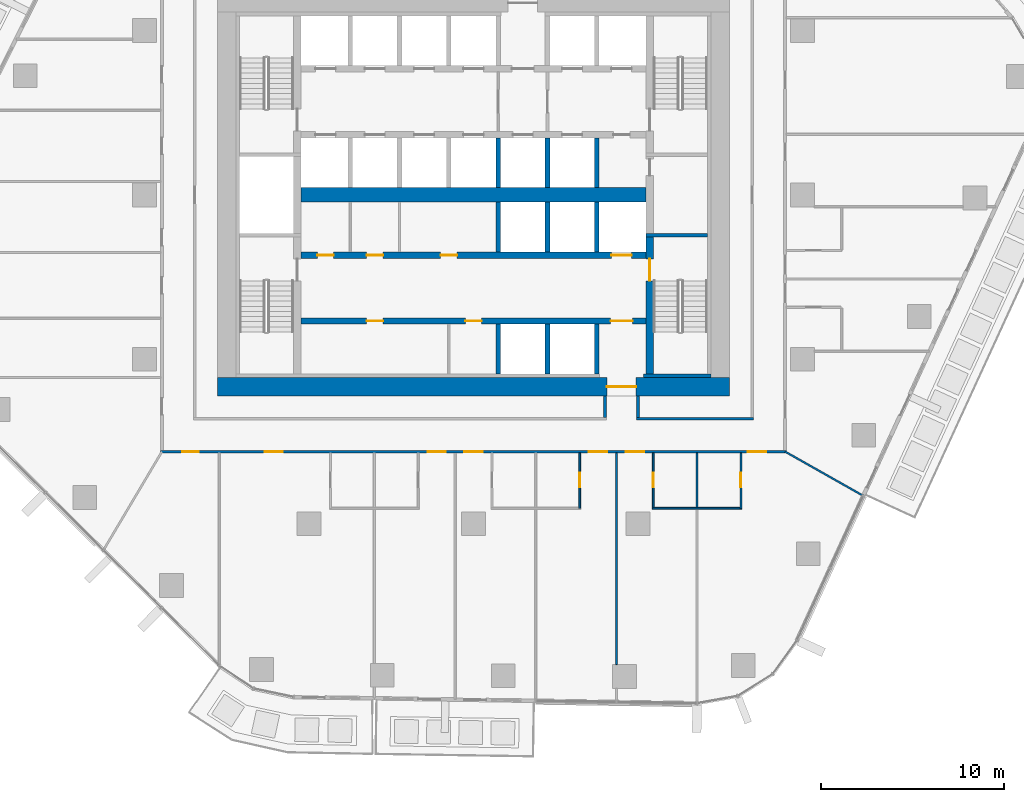
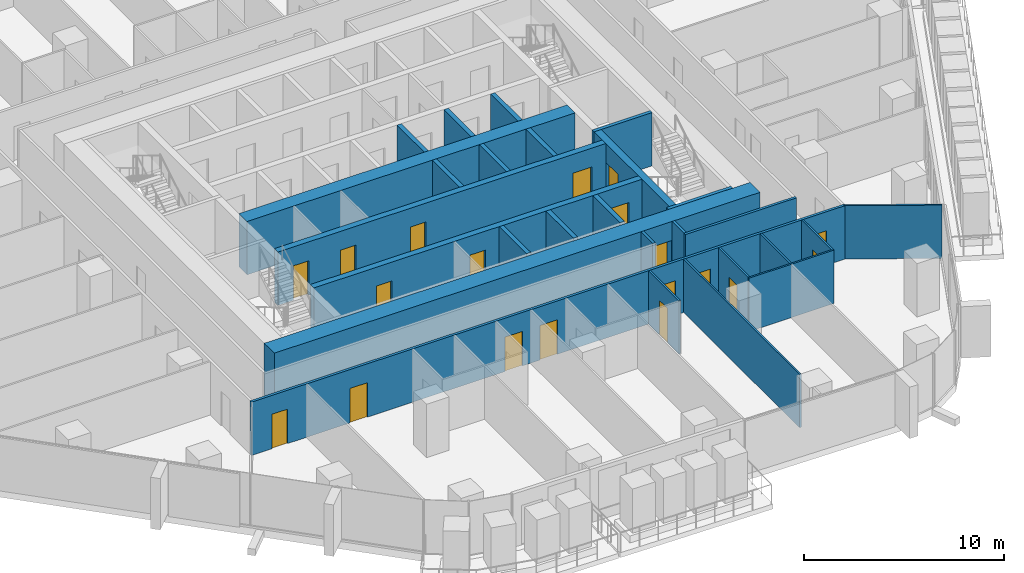
# One storey, part 13 of 24: 27 walls, 19 doors, 19 openings.
"""IFC4 building model written with IfcOpenShell, lengths in metres."""

from ifc_helpers import new_model, si_unit, direction, frame, frame_2d, origin, place, context, subcontext, project, spatial, rectangle, extrude, material, layer, layer_set, type_object, element, fill, save


model = new_model("IFC4")

# Units and contexts
model_context = context("Model", 3, precision=1e-05, world=origin(), true_north=direction((0.0, 1.0)))
body_context = subcontext(model_context, "Body", "Model", "MODEL_VIEW")
ifc_project = project(units=[si_unit("LENGTHUNIT", "METRE"), si_unit("AREAUNIT", "SQUARE_METRE"), si_unit("VOLUMEUNIT", "CUBIC_METRE"), si_unit("PLANEANGLEUNIT", "RADIAN"), si_unit("MASSUNIT", "GRAM", prefix="KILO")], contexts=[model_context])

# Site, building, storey
site_placement = place(None, origin())
site = spatial("IfcSite", under=ifc_project, at=site_placement, CompositionType="ELEMENT")
building_placement = place(site_placement, origin())
building = spatial("IfcBuilding", under=site, at=building_placement, Name="Dongbaek Canopy Tower", CompositionType="ELEMENT")
storey_placement = place(building_placement, frame((0.0, 0.0, 98.89990234375)))
storey = spatial("IfcBuildingStorey", under=building, at=storey_placement, Name="L20", CompositionType="ELEMENT", Elevation=98.89990234375)

# Wall
ifc_material_1 = material(Name="Concrete C60/75", Category="concrete")
ifc_layer_1 = layer(ifc_material_1, 0.800048828125)
ifc_layer_set_1 = layer_set([ifc_layer_1], Name="Core central wall 800 Concrete C60/75")
wall_type_1 = type_object("IfcWallType", Name="Core central wall 800 Concrete C60/75", PredefinedType="SHEAR", material=ifc_layer_set_1)
wall_1_placement = place(storey_placement, frame((-9.449951171875, 0.0, 0.0), z_axis=(0.0, 0.0, 1.0), x_axis=(1.0, 0.0, 0.0)))
element("IfcWall", 1, at=wall_1_placement, inside=storey, type_object=wall_type_1, Name="Core wall", PredefinedType="SHEAR", context=body_context, shape_type="SweptSolid", body=[
    extrude(rectangle(XDim=18.89990234375, YDim=0.800048828125, at=frame_2d((9.449951171875, 0.0))), origin(), (0.0, 0.0, 1.0), 3.25),
])

# Wall, openings, doors
ifc_material_2 = material(Name="Concrete C60/75", Category="concrete")
ifc_layer_2 = layer(ifc_material_2, 0.35009765625)
ifc_layer_set_2 = layer_set([ifc_layer_2], Name="Core lobby wall 350 Concrete C60/75")
wall_type_2 = type_object("IfcWallType", Name="Core lobby wall 350 Concrete C60/75", PredefinedType="SHEAR", material=ifc_layer_set_2)
wall_2_placement = place(storey_placement, frame((-9.449951171875, -3.300048828125, 0.0), z_axis=(0.0, 0.0, 1.0), x_axis=(1.0, 0.0, 0.0)))
wall_2 = element("IfcWall", 2, at=wall_2_placement, inside=storey, type_object=wall_type_2, Name="Core wall", PredefinedType="SHEAR", context=body_context, shape_type="SweptSolid", body=[
    extrude(rectangle(XDim=18.89990234375, YDim=0.35009765625, at=frame_2d((9.449951171875, 0.0))), origin(), (0.0, 0.0, 1.0), 3.25),
])
opening_1_placement = place(wall_2_placement, frame((17.0, 0.0, 0.0)))
opening_1 = element("IfcOpeningElement", 3, at=opening_1_placement, cuts=wall_2, Name="Opening L20-D057", PredefinedType="OPENING", context=body_context, shape_type="SweptSolid", body=[
    extrude(rectangle(XDim=1.10009765625, YDim=2.10009765625, at=frame_2d((0.550048828125, 1.050048828125))), frame((0.0, 0.18505859375, 0.0), z_axis=(0.0, -1.0, 0.0), x_axis=(1.0, 0.0, 0.0)), (0.0, 0.0, 1.0), 0.3701171875),
])
opening_2_placement = place(wall_2_placement, frame((0.89990234375, 0.0, 0.0)))
opening_2 = element("IfcOpeningElement", 4, at=opening_2_placement, cuts=wall_2, Name="Opening L20-D060", PredefinedType="OPENING", context=body_context, shape_type="SweptSolid", body=[
    extrude(rectangle(XDim=0.89990234375, YDim=2.10009765625, at=frame_2d((0.449951171875, 1.050048828125))), frame((0.0, 0.18505859375, 0.0), z_axis=(0.0, -1.0, 0.0), x_axis=(1.0, 0.0, 0.0)), (0.0, 0.0, 1.0), 0.3701171875),
])
opening_3_placement = place(wall_2_placement, frame((3.60009765625, 0.0, 0.0)))
opening_3 = element("IfcOpeningElement", 5, at=opening_3_placement, cuts=wall_2, Name="Opening L20-D061", PredefinedType="OPENING", context=body_context, shape_type="SweptSolid", body=[
    extrude(rectangle(XDim=0.89990234375, YDim=2.10009765625, at=frame_2d((0.449951171875, 1.050048828125))), frame((0.0, 0.18505859375, 0.0), z_axis=(0.0, -1.0, 0.0), x_axis=(1.0, 0.0, 0.0)), (0.0, 0.0, 1.0), 0.3701171875),
])
opening_4_placement = place(wall_2_placement, frame((7.64990234375, 0.0, 0.0)))
opening_4 = element("IfcOpeningElement", 6, at=opening_4_placement, cuts=wall_2, Name="Opening L20-D062", PredefinedType="OPENING", context=body_context, shape_type="SweptSolid", body=[
    extrude(rectangle(XDim=0.89990234375, YDim=2.10009765625, at=frame_2d((0.449951171875, 1.050048828125))), frame((0.0, 0.18505859375, 0.0), z_axis=(0.0, -1.0, 0.0), x_axis=(1.0, 0.0, 0.0)), (0.0, 0.0, 1.0), 0.3701171875),
])
ifc_material_3 = material(Name="Steel", Category="steel")
door_type_1 = type_object("IfcDoorType", Name="Core room door 900 x 2100", OperationType="SINGLE_SWING_LEFT", PredefinedType="DOOR", material=ifc_material_3)
door_1_placement = place(opening_2_placement, origin())
door_1 = element("IfcDoor", 7, at=door_1_placement, inside=storey, type_object=door_type_1, Name="Door L20-D060", OperationType="SINGLE_SWING_RIGHT", OverallHeight=2.10009765625, OverallWidth=0.89990234375, PredefinedType="DOOR", context=body_context, shape_type="SweptSolid", body=[
    extrude(rectangle(XDim=0.89990234375, YDim=2.10009765625, at=frame_2d((0.449951171875, 1.050048828125))), frame((0.0, 0.02490234375, 0.0), z_axis=(0.0, -1.0, 0.0), x_axis=(1.0, 0.0, 0.0)), (0.0, 0.0, 1.0), 0.050048828125),
])
fill(opening_2, door_1)
door_2_placement = place(opening_3_placement, origin())
door_2 = element("IfcDoor", 8, at=door_2_placement, inside=storey, type_object=door_type_1, Name="Door L20-D061", OperationType="SINGLE_SWING_LEFT", OverallHeight=2.10009765625, OverallWidth=0.89990234375, PredefinedType="DOOR", context=body_context, shape_type="SweptSolid", body=[
    extrude(rectangle(XDim=0.89990234375, YDim=2.10009765625, at=frame_2d((0.449951171875, 1.050048828125))), frame((0.0, 0.02490234375, 0.0), z_axis=(0.0, -1.0, 0.0), x_axis=(1.0, 0.0, 0.0)), (0.0, 0.0, 1.0), 0.050048828125),
])
fill(opening_3, door_2)
door_3_placement = place(opening_4_placement, origin())
door_3 = element("IfcDoor", 9, at=door_3_placement, inside=storey, type_object=door_type_1, Name="Door L20-D062", OperationType="SINGLE_SWING_RIGHT", OverallHeight=2.10009765625, OverallWidth=0.89990234375, PredefinedType="DOOR", context=body_context, shape_type="SweptSolid", body=[
    extrude(rectangle(XDim=0.89990234375, YDim=2.10009765625, at=frame_2d((0.449951171875, 1.050048828125))), frame((0.0, 0.02490234375, 0.0), z_axis=(0.0, -1.0, 0.0), x_axis=(1.0, 0.0, 0.0)), (0.0, 0.0, 1.0), 0.050048828125),
])
fill(opening_4, door_3)
ifc_material_4 = material(Name="Stainless steel", Category="steel")
door_type_2 = type_object("IfcDoorType", Name="Lift landing door 1100 x 2100", OperationType="DOUBLE_DOOR_SLIDING", PredefinedType="DOOR", material=ifc_material_4)
door_4_placement = place(opening_1_placement, origin())
door_4 = element("IfcDoor", 10, at=door_4_placement, inside=storey, type_object=door_type_2, Name="Landing door SV2", OperationType="DOUBLE_DOOR_SLIDING", OverallHeight=2.10009765625, OverallWidth=1.10009765625, PredefinedType="DOOR", context=body_context, shape_type="SweptSolid", body=[
    extrude(rectangle(XDim=1.10009765625, YDim=2.10009765625, at=frame_2d((0.550048828125, 1.050048828125))), frame((0.0, 0.02490234375, 0.0), z_axis=(0.0, -1.0, 0.0), x_axis=(1.0, 0.0, 0.0)), (0.0, 0.0, 1.0), 0.050048828125),
])
fill(opening_1, door_4)

wall_3_placement = place(storey_placement, frame((9.449951171875, -6.89990234375, 0.0), z_axis=(0.0, 0.0, 1.0), x_axis=(-1.0, 0.0, 0.0)))
wall_3 = element("IfcWall", 11, at=wall_3_placement, inside=storey, type_object=wall_type_2, Name="Core wall", PredefinedType="SHEAR", context=body_context, shape_type="SweptSolid", body=[
    extrude(rectangle(XDim=18.89990234375, YDim=0.35009765625, at=frame_2d((9.449951171875, 0.0))), origin(), (0.0, 0.0, 1.0), 3.25),
])
opening_5_placement = place(wall_3_placement, frame((0.75, 0.0, 0.0)))
opening_5 = element("IfcOpeningElement", 12, at=opening_5_placement, cuts=wall_3, Name="Opening L20-D059", PredefinedType="OPENING", context=body_context, shape_type="SweptSolid", body=[
    extrude(rectangle(XDim=1.199951171875, YDim=2.10009765625, at=frame_2d((0.60009765625, 1.050048828125))), frame((0.0, 0.18505859375, 0.0), z_axis=(0.0, -1.0, 0.0), x_axis=(1.0, 0.0, 0.0)), (0.0, 0.0, 1.0), 0.3701171875),
])
opening_6_placement = place(wall_3_placement, frame((14.39990234375, 0.0, 0.0)))
opening_6 = element("IfcOpeningElement", 13, at=opening_6_placement, cuts=wall_3, Name="Opening L20-D063", PredefinedType="OPENING", context=body_context, shape_type="SweptSolid", body=[
    extrude(rectangle(XDim=0.89990234375, YDim=2.10009765625, at=frame_2d((0.449951171875, 1.050048828125))), frame((0.0, 0.18505859375, 0.0), z_axis=(0.0, -1.0, 0.0), x_axis=(1.0, 0.0, 0.0)), (0.0, 0.0, 1.0), 0.3701171875),
])
opening_7_placement = place(wall_3_placement, frame((9.0, 0.0, 0.0)))
opening_7 = element("IfcOpeningElement", 14, at=opening_7_placement, cuts=wall_3, Name="Opening L20-D064", PredefinedType="OPENING", context=body_context, shape_type="SweptSolid", body=[
    extrude(rectangle(XDim=0.89990234375, YDim=2.10009765625, at=frame_2d((0.449951171875, 1.050048828125))), frame((0.0, 0.18505859375, 0.0), z_axis=(0.0, -1.0, 0.0), x_axis=(1.0, 0.0, 0.0)), (0.0, 0.0, 1.0), 0.3701171875),
])
door_5_placement = place(opening_6_placement, origin())
door_5 = element("IfcDoor", 15, at=door_5_placement, inside=storey, type_object=door_type_1, Name="Door L20-D063", OperationType="SINGLE_SWING_LEFT", OverallHeight=2.10009765625, OverallWidth=0.89990234375, PredefinedType="DOOR", context=body_context, shape_type="SweptSolid", body=[
    extrude(rectangle(XDim=0.89990234375, YDim=2.10009765625, at=frame_2d((0.449951171875, 1.050048828125))), frame((0.0, 0.02490234375, 0.0), z_axis=(0.0, -1.0, 0.0), x_axis=(1.0, 0.0, 0.0)), (0.0, 0.0, 1.0), 0.050048828125),
])
fill(opening_6, door_5)
door_6_placement = place(opening_7_placement, origin())
door_6 = element("IfcDoor", 16, at=door_6_placement, inside=storey, type_object=door_type_1, Name="Door L20-D064", OperationType="SINGLE_SWING_RIGHT", OverallHeight=2.10009765625, OverallWidth=0.89990234375, PredefinedType="DOOR", context=body_context, shape_type="SweptSolid", body=[
    extrude(rectangle(XDim=0.89990234375, YDim=2.10009765625, at=frame_2d((0.449951171875, 1.050048828125))), frame((0.0, 0.02490234375, 0.0), z_axis=(0.0, -1.0, 0.0), x_axis=(1.0, 0.0, 0.0)), (0.0, 0.0, 1.0), 0.050048828125),
])
fill(opening_7, door_6)
ifc_material_5 = material(Name="Steel", Category="steel")
door_type_3 = type_object("IfcDoorType", Name="Fire lobby door 1200 x 2100", OperationType="SINGLE_SWING_LEFT", PredefinedType="DOOR", material=ifc_material_5)
door_7_placement = place(opening_5_placement, origin())
door_7 = element("IfcDoor", 17, at=door_7_placement, inside=storey, type_object=door_type_3, Name="Door L20-D059", OperationType="SINGLE_SWING_LEFT", OverallHeight=2.10009765625, OverallWidth=1.199951171875, PredefinedType="DOOR", context=body_context, shape_type="SweptSolid", body=[
    extrude(rectangle(XDim=1.199951171875, YDim=2.10009765625, at=frame_2d((0.60009765625, 1.050048828125))), frame((0.0, 0.02490234375, 0.0), z_axis=(0.0, -1.0, 0.0), x_axis=(1.0, 0.0, 0.0)), (0.0, 0.0, 1.0), 0.050048828125),
])
fill(opening_5, door_7)

# Wall, opening, door
ifc_material_6 = material(Name="Concrete C60/75", Category="concrete")
ifc_layer_3 = layer(ifc_material_6, 1.0)
ifc_layer_set_3 = layer_set([ifc_layer_3], Name="Core outer wall 1000 Concrete C60/75")
wall_type_3 = type_object("IfcWallType", Name="Core outer wall 1000 Concrete C60/75", PredefinedType="SHEAR", material=ifc_layer_set_3)
wall_4_placement = place(storey_placement, frame((14.0, -10.5, 0.0), z_axis=(0.0, 0.0, 1.0), x_axis=(-1.0, 0.0, 0.0)))
wall_4 = element("IfcWall", 18, at=wall_4_placement, inside=storey, type_object=wall_type_3, Name="Core wall", PredefinedType="SHEAR", context=body_context, shape_type="SweptSolid", body=[
    extrude(rectangle(XDim=28.0, YDim=1.0, at=frame_2d((14.0, 0.0))), origin(), (0.0, 0.0, 1.0), 3.25),
])
opening_8_placement = place(wall_4_placement, frame((5.10009765625, 0.0, 0.0)))
opening_8 = element("IfcOpeningElement", 19, at=opening_8_placement, cuts=wall_4, Name="Opening L20-D058", PredefinedType="OPENING", context=body_context, shape_type="SweptSolid", body=[
    extrude(rectangle(XDim=1.60009765625, YDim=2.10009765625, at=frame_2d((0.800048828125, 1.050048828125))), frame((0.0, 0.510009765625, 0.0), z_axis=(0.0, -1.0, 0.0), x_axis=(1.0, 0.0, 0.0)), (0.0, 0.0, 1.0), 1.02001953125),
])
ifc_material_7 = material(Name="Steel", Category="steel")
door_type_4 = type_object("IfcDoorType", Name="Core exit door 1600 x 2100", OperationType="DOUBLE_DOOR_SINGLE_SWING", PredefinedType="DOOR", material=ifc_material_7)
door_8_placement = place(opening_8_placement, origin())
door_8 = element("IfcDoor", 20, at=door_8_placement, inside=storey, type_object=door_type_4, Name="Core exit door", OperationType="DOUBLE_DOOR_SINGLE_SWING", OverallHeight=2.10009765625, OverallWidth=1.60009765625, PredefinedType="DOOR", context=body_context, shape_type="SweptSolid", body=[
    extrude(rectangle(XDim=1.60009765625, YDim=2.10009765625, at=frame_2d((0.800048828125, 1.050048828125))), frame((0.0, 0.02490234375, 0.0), z_axis=(0.0, -1.0, 0.0), x_axis=(1.0, 0.0, 0.0)), (0.0, 0.0, 1.0), 0.050048828125),
])
fill(opening_8, door_8)

# Wall
ifc_material_8 = material(Name="Concrete C60/75", Category="concrete")
ifc_layer_4 = layer(ifc_material_8, 0.199951171875)
ifc_layer_set_4 = layer_set([ifc_layer_4], Name="Core wall lining 200 Concrete C60/75")
wall_type_4 = type_object("IfcWallType", Name="Core wall lining 200 Concrete C60/75", PredefinedType="SHEAR", material=ifc_layer_set_4)
wall_5_placement = place(storey_placement, frame((13.0, -9.89990234375, 0.0), z_axis=(0.0, 0.0, 1.0), x_axis=(-1.0, 0.0, 0.0)))
element("IfcWall", 21, at=wall_5_placement, inside=storey, type_object=wall_type_4, Name="Core wall lining", PredefinedType="SHEAR", context=body_context, shape_type="SweptSolid", body=[
    extrude(rectangle(XDim=3.699951171875, YDim=0.199951171875, at=frame_2d((1.85009765625, 0.0))), origin(), (0.0, 0.0, 1.0), 3.25),
])

# Wall, openings, doors
ifc_material_9 = material(Name="Gypsum board partition, steel stud, 2 x 15 mm fire board", Category="steel")
ifc_layer_5 = layer(ifc_material_9, 0.14990234375)
ifc_layer_set_5 = layer_set([ifc_layer_5], Name="Fire-rated partition 150 gypsum board")
wall_type_5 = type_object("IfcWallType", Name="Fire-rated partition 150 gypsum board", PredefinedType="PARTITIONING", material=ifc_layer_set_5)
wall_6_placement = place(storey_placement, frame((17.125, -14.050048828125, 0.0), z_axis=(0.0, 0.0, 1.0), x_axis=(-1.0, 0.0, 0.0)))
wall_6 = element("IfcWall", 22, at=wall_6_placement, inside=storey, type_object=wall_type_5, Name="Corridor partition", PredefinedType="PARTITIONING", context=body_context, shape_type="SweptSolid", body=[
    extrude(rectangle(XDim=34.25, YDim=0.14990234375, at=frame_2d((17.125, 0.0))), origin(), (0.0, 0.0, 1.0), 3.25),
])
opening_9_placement = place(wall_6_placement, frame((32.158203125, 0.0, 0.0)))
opening_9 = element("IfcOpeningElement", 23, at=opening_9_placement, cuts=wall_6, Name="Opening L20-D004", PredefinedType="OPENING", context=body_context, shape_type="SweptSolid", body=[
    extrude(rectangle(XDim=0.89990234375, YDim=2.10009765625, at=frame_2d((0.449951171875, 1.050048828125))), frame((0.0, 0.0849609375, 0.0), z_axis=(0.0, -1.0, 0.0), x_axis=(1.0, 0.0, 0.0)), (0.0, 0.0, 1.0), 0.169921875),
])
opening_10_placement = place(wall_6_placement, frame((27.560791015625, 0.0, 0.0)))
opening_10 = element("IfcOpeningElement", 24, at=opening_10_placement, cuts=wall_6, Name="Opening L20-D006", PredefinedType="OPENING", context=body_context, shape_type="SweptSolid", body=[
    extrude(rectangle(XDim=1.0, YDim=2.10009765625, at=frame_2d((0.5, 1.050048828125))), frame((0.0, 0.0849609375, 0.0), z_axis=(0.0, -1.0, 0.0), x_axis=(1.0, 0.0, 0.0)), (0.0, 0.0, 1.0), 0.169921875),
])
opening_11_placement = place(wall_6_placement, frame((18.640380859375, 0.0, 0.0)))
opening_11 = element("IfcOpeningElement", 25, at=opening_11_placement, cuts=wall_6, Name="Opening L20-D008", PredefinedType="OPENING", context=body_context, shape_type="SweptSolid", body=[
    extrude(rectangle(XDim=1.0, YDim=2.10009765625, at=frame_2d((0.5, 1.050048828125))), frame((0.0, 0.0849609375, 0.0), z_axis=(0.0, -1.0, 0.0), x_axis=(1.0, 0.0, 0.0)), (0.0, 0.0, 1.0), 0.169921875),
])
opening_12_placement = place(wall_6_placement, frame((16.62353515625, 0.0, 0.0)))
opening_12 = element("IfcOpeningElement", 26, at=opening_12_placement, cuts=wall_6, Name="Opening L20-D010", PredefinedType="OPENING", context=body_context, shape_type="SweptSolid", body=[
    extrude(rectangle(XDim=1.0, YDim=2.10009765625, at=frame_2d((0.5, 1.050048828125))), frame((0.0, 0.0849609375, 0.0), z_axis=(0.0, -1.0, 0.0), x_axis=(1.0, 0.0, 0.0)), (0.0, 0.0, 1.0), 0.169921875),
])
opening_13_placement = place(wall_6_placement, frame((9.806640625, 0.0, 0.0)))
opening_13 = element("IfcOpeningElement", 27, at=opening_13_placement, cuts=wall_6, Name="Opening L20-D012", PredefinedType="OPENING", context=body_context, shape_type="SweptSolid", body=[
    extrude(rectangle(XDim=1.0, YDim=2.10009765625, at=frame_2d((0.5, 1.050048828125))), frame((0.0, 0.0849609375, 0.0), z_axis=(0.0, -1.0, 0.0), x_axis=(1.0, 0.0, 0.0)), (0.0, 0.0, 1.0), 0.169921875),
])
opening_14_placement = place(wall_6_placement, frame((7.794677734375, 0.0, 0.0)))
opening_14 = element("IfcOpeningElement", 28, at=opening_14_placement, cuts=wall_6, Name="Opening L20-D014", PredefinedType="OPENING", context=body_context, shape_type="SweptSolid", body=[
    extrude(rectangle(XDim=1.0, YDim=2.10009765625, at=frame_2d((0.5, 1.050048828125))), frame((0.0, 0.0849609375, 0.0), z_axis=(0.0, -1.0, 0.0), x_axis=(1.0, 0.0, 0.0)), (0.0, 0.0, 1.0), 0.169921875),
])
opening_15_placement = place(wall_6_placement, frame((1.119384765625, 0.0, 0.0)))
opening_15 = element("IfcOpeningElement", 29, at=opening_15_placement, cuts=wall_6, Name="Opening L20-D016", PredefinedType="OPENING", context=body_context, shape_type="SweptSolid", body=[
    extrude(rectangle(XDim=1.0, YDim=2.10009765625, at=frame_2d((0.5, 1.050048828125))), frame((0.0, 0.0849609375, 0.0), z_axis=(0.0, -1.0, 0.0), x_axis=(1.0, 0.0, 0.0)), (0.0, 0.0, 1.0), 0.169921875),
])
ifc_material_10 = material(Name="Timber veneered door leaf", Category="wood")
door_type_5 = type_object("IfcDoorType", Name="Guest room door 1000 x 2100", OperationType="SINGLE_SWING_LEFT", PredefinedType="DOOR", material=ifc_material_10)
door_9_placement = place(opening_10_placement, origin())
door_9 = element("IfcDoor", 30, at=door_9_placement, inside=storey, type_object=door_type_5, Name="Door L20-D006", OperationType="SINGLE_SWING_LEFT", OverallHeight=2.10009765625, OverallWidth=1.0, PredefinedType="DOOR", context=body_context, shape_type="SweptSolid", body=[
    extrude(rectangle(XDim=1.0, YDim=2.10009765625, at=frame_2d((0.5, 1.050048828125))), frame((0.0, 0.02490234375, 0.0), z_axis=(0.0, -1.0, 0.0), x_axis=(1.0, 0.0, 0.0)), (0.0, 0.0, 1.0), 0.050048828125),
])
fill(opening_10, door_9)
door_10_placement = place(opening_11_placement, origin())
door_10 = element("IfcDoor", 31, at=door_10_placement, inside=storey, type_object=door_type_5, Name="Door L20-D008", OperationType="SINGLE_SWING_RIGHT", OverallHeight=2.10009765625, OverallWidth=1.0, PredefinedType="DOOR", context=body_context, shape_type="SweptSolid", body=[
    extrude(rectangle(XDim=1.0, YDim=2.10009765625, at=frame_2d((0.5, 1.050048828125))), frame((0.0, 0.02490234375, 0.0), z_axis=(0.0, -1.0, 0.0), x_axis=(1.0, 0.0, 0.0)), (0.0, 0.0, 1.0), 0.050048828125),
])
fill(opening_11, door_10)
door_11_placement = place(opening_12_placement, origin())
door_11 = element("IfcDoor", 32, at=door_11_placement, inside=storey, type_object=door_type_5, Name="Door L20-D010", OperationType="SINGLE_SWING_LEFT", OverallHeight=2.10009765625, OverallWidth=1.0, PredefinedType="DOOR", context=body_context, shape_type="SweptSolid", body=[
    extrude(rectangle(XDim=1.0, YDim=2.10009765625, at=frame_2d((0.5, 1.050048828125))), frame((0.0, 0.02490234375, 0.0), z_axis=(0.0, -1.0, 0.0), x_axis=(1.0, 0.0, 0.0)), (0.0, 0.0, 1.0), 0.050048828125),
])
fill(opening_12, door_11)
door_12_placement = place(opening_13_placement, origin())
door_12 = element("IfcDoor", 33, at=door_12_placement, inside=storey, type_object=door_type_5, Name="Door L20-D012", OperationType="SINGLE_SWING_RIGHT", OverallHeight=2.10009765625, OverallWidth=1.0, PredefinedType="DOOR", context=body_context, shape_type="SweptSolid", body=[
    extrude(rectangle(XDim=1.0, YDim=2.10009765625, at=frame_2d((0.5, 1.050048828125))), frame((0.0, 0.02490234375, 0.0), z_axis=(0.0, -1.0, 0.0), x_axis=(1.0, 0.0, 0.0)), (0.0, 0.0, 1.0), 0.050048828125),
])
fill(opening_13, door_12)
door_13_placement = place(opening_14_placement, origin())
door_13 = element("IfcDoor", 34, at=door_13_placement, inside=storey, type_object=door_type_5, Name="Door L20-D014", OperationType="SINGLE_SWING_LEFT", OverallHeight=2.10009765625, OverallWidth=1.0, PredefinedType="DOOR", context=body_context, shape_type="SweptSolid", body=[
    extrude(rectangle(XDim=1.0, YDim=2.10009765625, at=frame_2d((0.5, 1.050048828125))), frame((0.0, 0.02490234375, 0.0), z_axis=(0.0, -1.0, 0.0), x_axis=(1.0, 0.0, 0.0)), (0.0, 0.0, 1.0), 0.050048828125),
])
fill(opening_14, door_13)
door_14_placement = place(opening_15_placement, origin())
door_14 = element("IfcDoor", 35, at=door_14_placement, inside=storey, type_object=door_type_5, Name="Door L20-D016", OperationType="SINGLE_SWING_RIGHT", OverallHeight=2.10009765625, OverallWidth=1.0, PredefinedType="DOOR", context=body_context, shape_type="SweptSolid", body=[
    extrude(rectangle(XDim=1.0, YDim=2.10009765625, at=frame_2d((0.5, 1.050048828125))), frame((0.0, 0.02490234375, 0.0), z_axis=(0.0, -1.0, 0.0), x_axis=(1.0, 0.0, 0.0)), (0.0, 0.0, 1.0), 0.050048828125),
])
fill(opening_15, door_14)
ifc_material_11 = material(Name="Timber veneered door leaf", Category="wood")
door_type_6 = type_object("IfcDoorType", Name="Room door 900 x 2100", OperationType="SINGLE_SWING_LEFT", PredefinedType="DOOR", material=ifc_material_11)
door_15_placement = place(opening_9_placement, origin())
door_15 = element("IfcDoor", 36, at=door_15_placement, inside=storey, type_object=door_type_6, Name="Door L20-D004", OperationType="SINGLE_SWING_RIGHT", OverallHeight=2.10009765625, OverallWidth=0.89990234375, PredefinedType="DOOR", context=body_context, shape_type="SweptSolid", body=[
    extrude(rectangle(XDim=0.89990234375, YDim=2.10009765625, at=frame_2d((0.449951171875, 1.050048828125))), frame((0.0, 0.02490234375, 0.0), z_axis=(0.0, -1.0, 0.0), x_axis=(1.0, 0.0, 0.0)), (0.0, 0.0, 1.0), 0.050048828125),
])
fill(opening_9, door_15)

# Walls
wall_7_placement = place(storey_placement, frame((8.925048828125, -12.25, 0.0), z_axis=(0.0, 0.0, 1.0), x_axis=(1.0, 0.0, 0.0)))
element("IfcWall", 37, at=wall_7_placement, inside=storey, type_object=wall_type_5, Name="Corridor partition", PredefinedType="PARTITIONING", context=body_context, shape_type="SweptSolid", body=[
    extrude(rectangle(XDim=6.39990234375, YDim=0.14990234375, at=frame_2d((3.199951171875, 0.0))), origin(), (0.0, 0.0, 1.0), 3.25),
])
for number, where, z_axis, x_axis, name in (
    (38, (9.0, -12.175048828125, 0.0), (0.0, 0.0, 1.0), (0.0, 1.0, 0.0), "Corridor partition"),
    (39, (7.199951171875, -12.175048828125, 0.0), (0.0, 0.0, 1.0), (0.0, 1.0, 0.0), "Corridor partition"),
):
    element("IfcWall", number, at=place(storey_placement, frame(where, z_axis=z_axis, x_axis=x_axis)), inside=storey, type_object=wall_type_5, Name=name, PredefinedType="PARTITIONING", context=body_context, shape_type="SweptSolid", body=[
        extrude(rectangle(XDim=1.175048828125, YDim=0.14990234375, at=frame_2d((0.58740234375, 0.0))), origin(), (0.0, 0.0, 1.0), 3.25),
    ])
ifc_material_12 = material(Name="Concrete C40/50", Category="concrete")
ifc_layer_6 = layer(ifc_material_12, 0.25)
ifc_layer_set_6 = layer_set([ifc_layer_6], Name="Lift shaft wall 250 Concrete C40/50")
wall_type_6 = type_object("IfcWallType", Name="Lift shaft wall 250 Concrete C40/50", PredefinedType="SOLIDWALL", material=ifc_layer_set_6)
for number, where, z_axis, x_axis, name in (
    (40, (6.75, -9.800048828125, 0.0), (0.0, 0.0, 1.0), (0.0, 1.0, 0.0), "Lift shaft wall"),
    (41, (6.75, -3.125, 0.0), (0.0, 0.0, 1.0), (0.0, 1.0, 0.0), "Lift shaft wall"),
    (42, (6.75, 0.39990234375, 0.0), (0.0, 0.0, 1.0), (0.0, 1.0, 0.0), "Lift shaft wall"),
    (43, (4.050048828125, -9.800048828125, 0.0), (0.0, 0.0, 1.0), (0.0, 1.0, 0.0), "Lift shaft wall"),
    (44, (4.050048828125, -3.125, 0.0), (0.0, 0.0, 1.0), (0.0, 1.0, 0.0), "Lift shaft wall"),
    (45, (4.050048828125, 0.39990234375, 0.0), (0.0, 0.0, 1.0), (0.0, 1.0, 0.0), "Lift shaft wall"),
    (46, (1.35009765625, -9.800048828125, 0.0), (0.0, 0.0, 1.0), (0.0, 1.0, 0.0), "Lift shaft wall"),
    (47, (1.35009765625, -3.125, 0.0), (0.0, 0.0, 1.0), (0.0, 1.0, 0.0), "Lift shaft wall"),
    (48, (1.35009765625, 0.39990234375, 0.0), (0.0, 0.0, 1.0), (0.0, 1.0, 0.0), "Lift shaft wall"),
):
    element("IfcWall", number, at=place(storey_placement, frame(where, z_axis=z_axis, x_axis=x_axis)), inside=storey, type_object=wall_type_6, Name=name, PredefinedType="SOLIDWALL", context=body_context, shape_type="SweptSolid", body=[
        extrude(rectangle(XDim=2.72509765625, YDim=0.25, at=frame_2d((1.362548828125, 0.0))), origin(), (0.0, 0.0, 1.0), 3.25),
    ])
ifc_material_13 = material(Name="Gypsum board partition, steel stud, 2 x 12.5 mm board", Category="steel")
ifc_layer_7 = layer(ifc_material_13, 0.10009765625)
ifc_layer_set_7 = layer_set([ifc_layer_7], Name="Partition 100 gypsum board")
wall_type_7 = type_object("IfcWallType", Name="Partition 100 gypsum board", PredefinedType="PARTITIONING", material=ifc_layer_set_7)
wall_8_placement = place(storey_placement, frame((9.783935546875, -17.14990234375, 0.0), z_axis=(0.0, 0.0, 1.0), x_axis=(1.0, 0.0, 0.0)))
element("IfcWall", 49, at=wall_8_placement, inside=storey, type_object=wall_type_7, Name="Partition", PredefinedType="PARTITIONING", context=body_context, shape_type="SweptSolid", body=[
    extrude(rectangle(XDim=4.89990234375, YDim=0.10009765625, at=frame_2d((2.449951171875, 0.0))), origin(), (0.0, 0.0, 1.0), 3.25),
])

# Wall, opening, door
wall_9_placement = place(storey_placement, frame((14.634033203125, -17.14990234375, 0.0), z_axis=(0.0, 0.0, 1.0), x_axis=(0.0, 1.0, 0.0)))
wall_9 = element("IfcWall", 50, at=wall_9_placement, inside=storey, type_object=wall_type_7, Name="Partition", PredefinedType="PARTITIONING", context=body_context, shape_type="SweptSolid", body=[
    extrude(rectangle(XDim=3.02490234375, YDim=0.10009765625, at=frame_2d((1.512451171875, 0.0))), origin(), (0.0, 0.0, 1.0), 3.25),
])
opening_16_placement = place(wall_9_placement, frame((1.14990234375, 0.0, 0.0)))
opening_16 = element("IfcOpeningElement", 51, at=opening_16_placement, cuts=wall_9, Name="Opening L20-D015", PredefinedType="OPENING", context=body_context, shape_type="SweptSolid", body=[
    extrude(rectangle(XDim=0.800048828125, YDim=2.10009765625, at=frame_2d((0.39990234375, 1.050048828125))), frame((0.0, 0.06005859375, 0.0), z_axis=(0.0, -1.0, 0.0), x_axis=(1.0, 0.0, 0.0)), (0.0, 0.0, 1.0), 0.1201171875),
])
ifc_material_14 = material(Name="Timber veneered door leaf", Category="wood")
door_type_7 = type_object("IfcDoorType", Name="En-suite door 800 x 2100", OperationType="SINGLE_SWING_LEFT", PredefinedType="DOOR", material=ifc_material_14)
door_16_placement = place(opening_16_placement, origin())
door_16 = element("IfcDoor", 52, at=door_16_placement, inside=storey, type_object=door_type_7, Name="Door L20-D015", OperationType="SINGLE_SWING_LEFT", OverallHeight=2.10009765625, OverallWidth=0.800048828125, PredefinedType="DOOR", context=body_context, shape_type="SweptSolid", body=[
    extrude(rectangle(XDim=0.800048828125, YDim=2.10009765625, at=frame_2d((0.39990234375, 1.050048828125))), frame((0.0, 0.02490234375, 0.0), z_axis=(0.0, -1.0, 0.0), x_axis=(1.0, 0.0, 0.0)), (0.0, 0.0, 1.0), 0.050048828125),
])
fill(opening_16, door_16)

# Wall
wall_10_placement = place(storey_placement, frame((12.23388671875, -17.10009765625, 0.0), z_axis=(0.0, 0.0, 1.0), x_axis=(0.0, 1.0, 0.0)))
element("IfcWall", 53, at=wall_10_placement, inside=storey, type_object=wall_type_7, Name="Partition", PredefinedType="PARTITIONING", context=body_context, shape_type="SweptSolid", body=[
    extrude(rectangle(XDim=2.97509765625, YDim=0.10009765625, at=frame_2d((1.487548828125, 0.0))), origin(), (0.0, 0.0, 1.0), 3.25),
])

# Wall, opening, door
wall_11_placement = place(storey_placement, frame((9.833984375, -14.125, 0.0), z_axis=(0.0, 0.0, 1.0), x_axis=(0.0, -1.0, 0.0)))
wall_11 = element("IfcWall", 54, at=wall_11_placement, inside=storey, type_object=wall_type_7, Name="Partition", PredefinedType="PARTITIONING", context=body_context, shape_type="SweptSolid", body=[
    extrude(rectangle(XDim=2.97509765625, YDim=0.10009765625, at=frame_2d((1.487548828125, 0.0))), origin(), (0.0, 0.0, 1.0), 3.25),
])
opening_17_placement = place(wall_11_placement, frame((1.074951171875, 0.0, 0.0)))
opening_17 = element("IfcOpeningElement", 55, at=opening_17_placement, cuts=wall_11, Name="Opening L20-D013", PredefinedType="OPENING", context=body_context, shape_type="SweptSolid", body=[
    extrude(rectangle(XDim=0.800048828125, YDim=2.10009765625, at=frame_2d((0.39990234375, 1.050048828125))), frame((0.0, 0.06005859375, 0.0), z_axis=(0.0, -1.0, 0.0), x_axis=(1.0, 0.0, 0.0)), (0.0, 0.0, 1.0), 0.1201171875),
])
door_17_placement = place(opening_17_placement, origin())
door_17 = element("IfcDoor", 56, at=door_17_placement, inside=storey, type_object=door_type_7, Name="Door L20-D013", OperationType="SINGLE_SWING_RIGHT", OverallHeight=2.10009765625, OverallWidth=0.800048828125, PredefinedType="DOOR", context=body_context, shape_type="SweptSolid", body=[
    extrude(rectangle(XDim=0.800048828125, YDim=2.10009765625, at=frame_2d((0.39990234375, 1.050048828125))), frame((0.0, 0.02490234375, 0.0), z_axis=(0.0, -1.0, 0.0), x_axis=(1.0, 0.0, 0.0)), (0.0, 0.0, 1.0), 0.050048828125),
])
fill(opening_17, door_17)

# Wall
wall_12_placement = place(storey_placement, frame((7.826904296875, -25.698974609375, 0.0), z_axis=(0.0, 0.0, 1.0), x_axis=(0.0, 1.0, 0.0)))
element("IfcWall", 57, at=wall_12_placement, inside=storey, type_object=wall_type_7, Name="Partition", PredefinedType="PARTITIONING", context=body_context, shape_type="SweptSolid", body=[
    extrude(rectangle(XDim=11.573974609375, YDim=0.10009765625, at=frame_2d((5.787109375, 0.0))), origin(), (0.0, 0.0, 1.0), 3.25),
])

# Wall, opening, door
wall_13_placement = place(storey_placement, frame((5.81005859375, -17.14990234375, 0.0), z_axis=(0.0, 0.0, 1.0), x_axis=(0.0, 1.0, 0.0)))
wall_13 = element("IfcWall", 58, at=wall_13_placement, inside=storey, type_object=wall_type_7, Name="Partition", PredefinedType="PARTITIONING", context=body_context, shape_type="SweptSolid", body=[
    extrude(rectangle(XDim=3.02490234375, YDim=0.10009765625, at=frame_2d((1.512451171875, 0.0))), origin(), (0.0, 0.0, 1.0), 3.25),
])
opening_18_placement = place(wall_13_placement, frame((1.14990234375, 0.0, 0.0)))
opening_18 = element("IfcOpeningElement", 59, at=opening_18_placement, cuts=wall_13, Name="Opening L20-D011", PredefinedType="OPENING", context=body_context, shape_type="SweptSolid", body=[
    extrude(rectangle(XDim=0.800048828125, YDim=2.10009765625, at=frame_2d((0.39990234375, 1.050048828125))), frame((0.0, 0.06005859375, 0.0), z_axis=(0.0, -1.0, 0.0), x_axis=(1.0, 0.0, 0.0)), (0.0, 0.0, 1.0), 0.1201171875),
])
door_18_placement = place(opening_18_placement, origin())
door_18 = element("IfcDoor", 60, at=door_18_placement, inside=storey, type_object=door_type_7, Name="Door L20-D011", OperationType="SINGLE_SWING_LEFT", OverallHeight=2.10009765625, OverallWidth=0.800048828125, PredefinedType="DOOR", context=body_context, shape_type="SweptSolid", body=[
    extrude(rectangle(XDim=0.800048828125, YDim=2.10009765625, at=frame_2d((0.39990234375, 1.050048828125))), frame((0.0, 0.02490234375, 0.0), z_axis=(0.0, -1.0, 0.0), x_axis=(1.0, 0.0, 0.0)), (0.0, 0.0, 1.0), 0.050048828125),
])
fill(opening_18, door_18)

# Walls
wall_14_placement = place(storey_placement, frame((17.050048828125, -14.0498046875, 0.0), z_axis=(0.0, 0.0, 1.0), x_axis=(0.87059349, -0.492003023537, 0.0)))
element("IfcWall", 61, at=wall_14_placement, inside=storey, type_object=wall_type_7, Name="Partition", PredefinedType="PARTITIONING", context=body_context, shape_type="SweptSolid", body=[
    extrude(rectangle(XDim=4.895263671875, YDim=0.10009765625, at=frame_2d((2.44775390625, 0.0))), origin(), (0.0, 0.0, 1.0), 3.25),
])
ifc_material_15 = material(Name="Concrete C60/75", Category="concrete")
ifc_layer_8 = layer(ifc_material_15, 0.199951171875)
ifc_layer_set_8 = layer_set([ifc_layer_8], Name="Riser wall 200 Concrete C60/75")
wall_type_8 = type_object("IfcWallType", Name="Riser wall 200 Concrete C60/75", PredefinedType="SHEAR", material=ifc_layer_set_8)
wall_15_placement = place(storey_placement, frame((9.449951171875, -2.199951171875, 0.0), z_axis=(0.0, 0.0, 1.0), x_axis=(1.0, 0.0, 0.0)))
element("IfcWall", 62, at=wall_15_placement, inside=storey, type_object=wall_type_8, Name="Riser wall", PredefinedType="SHEAR", context=body_context, shape_type="SweptSolid", body=[
    extrude(rectangle(XDim=3.35009765625, YDim=0.199951171875, at=frame_2d((1.675048828125, 0.0))), origin(), (0.0, 0.0, 1.0), 3.25),
])

# Wall, opening, door
ifc_material_16 = material(Name="Concrete C60/75", Category="concrete")
ifc_layer_9 = layer(ifc_material_16, 0.39990234375)
ifc_layer_set_9 = layer_set([ifc_layer_9], Name="Stair wall 400 Concrete C60/75")
wall_type_9 = type_object("IfcWallType", Name="Stair wall 400 Concrete C60/75", PredefinedType="SHEAR", material=ifc_layer_set_9)
wall_16_placement = place(storey_placement, frame((9.64990234375, -2.300048828125, 0.0), z_axis=(0.0, 0.0, 1.0), x_axis=(0.0, -1.0, 0.0)))
wall_16 = element("IfcWall", 63, at=wall_16_placement, inside=storey, type_object=wall_type_9, Name="Stair wall", PredefinedType="SHEAR", context=body_context, shape_type="SweptSolid", body=[
    extrude(rectangle(XDim=7.5, YDim=0.39990234375, at=frame_2d((3.75, 0.0))), origin(), (0.0, 0.0, 1.0), 3.25),
])
opening_19_placement = place(wall_16_placement, frame((1.199951171875, 0.0, 0.0)))
opening_19 = element("IfcOpeningElement", 64, at=opening_19_placement, cuts=wall_16, Name="Opening L20-D067", PredefinedType="OPENING", context=body_context, shape_type="SweptSolid", body=[
    extrude(rectangle(XDim=1.199951171875, YDim=2.10009765625, at=frame_2d((0.60009765625, 1.050048828125))), frame((0.0, 0.2099609375, 0.0), z_axis=(0.0, -1.0, 0.0), x_axis=(1.0, 0.0, 0.0)), (0.0, 0.0, 1.0), 0.419921875),
])
ifc_material_17 = material(Name="Steel", Category="steel")
door_type_8 = type_object("IfcDoorType", Name="Stair door 1200 x 2100", OperationType="SINGLE_SWING_LEFT", PredefinedType="DOOR", material=ifc_material_17)
door_19_placement = place(opening_19_placement, origin())
door_19 = element("IfcDoor", 65, at=door_19_placement, inside=storey, type_object=door_type_8, Name="Stair B door", OperationType="SINGLE_SWING_RIGHT", OverallHeight=2.10009765625, OverallWidth=1.199951171875, PredefinedType="DOOR", context=body_context, shape_type="SweptSolid", body=[
    extrude(rectangle(XDim=1.199951171875, YDim=2.10009765625, at=frame_2d((0.60009765625, 1.050048828125))), frame((0.0, 0.02490234375, 0.0), z_axis=(0.0, -1.0, 0.0), x_axis=(1.0, 0.0, 0.0)), (0.0, 0.0, 1.0), 0.050048828125),
])
fill(opening_19, door_19)

save(model, "model.ifc")
